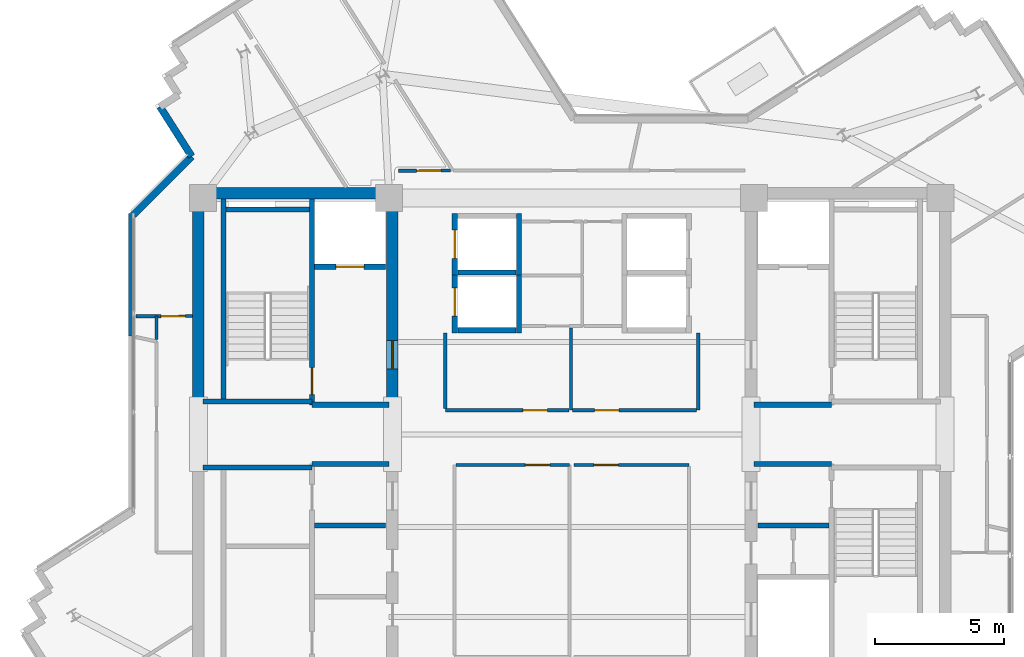
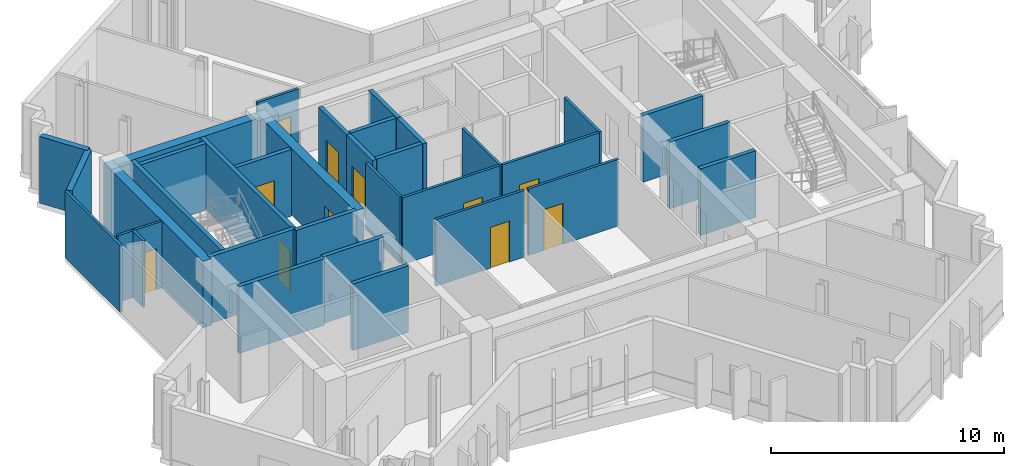
# One storey, part 6 of 12: 34 walls, 11 doors, 11 openings.
"""IFC4 building model written with IfcOpenShell, lengths in metres."""

from ifc_helpers import new_model, si_unit, direction, frame, frame_2d, origin, place, context, subcontext, project, spatial, rectangle, extrude, source, transform, mapped, material, layer, layer_set, type_object, element, fill, save


model = new_model("IFC4")

# Units and contexts
model_context = context("Model", 3, precision=1e-05, world=origin(), true_north=direction((0.0, 1.0)))
body_context = subcontext(model_context, "Body", "Model", "MODEL_VIEW")
ifc_project = project(units=[si_unit("LENGTHUNIT", "METRE"), si_unit("AREAUNIT", "SQUARE_METRE"), si_unit("VOLUMEUNIT", "CUBIC_METRE"), si_unit("PLANEANGLEUNIT", "RADIAN"), si_unit("MASSUNIT", "GRAM", prefix="KILO")], contexts=[model_context])

# Site, building, storey
site_placement = place(None, origin())
site = spatial("IfcSite", under=ifc_project, at=site_placement, CompositionType="ELEMENT")
building_placement = place(site_placement, origin())
building = spatial("IfcBuilding", under=site, at=building_placement, Name="Zahravan Cultural Tower", CompositionType="ELEMENT")
storey_placement = place(building_placement, frame((0.0, 0.0, 269.10009765625)))
storey = spatial("IfcBuildingStorey", under=building, at=storey_placement, Name="L64", CompositionType="ELEMENT", Elevation=269.10009765625)

# Wall, opening, door
ifc_material_1 = material(Name="Concrete C50/60", Category="concrete")
ifc_layer_1 = layer(ifc_material_1, 0.449951171875)
ifc_layer_set_1 = layer_set([ifc_layer_1], Name="Concrete C50/60")
wall_type_1 = type_object("IfcWallType", Name="CW-SHEAR-450-C50", PredefinedType="SHEAR", material=ifc_layer_set_1)
wall_1_placement = place(storey_placement, frame((29.02490234375, 28.050048828125, 0.0), z_axis=(0.0, 0.0, 1.0), x_axis=(0.0, 1.0, 0.0)))
wall_1 = element("IfcWall", 1, at=wall_1_placement, inside=storey, type_object=wall_type_1, Name="L64 Core Shear Wall CW-W-EN-L64", PredefinedType="SHEAR", context=body_context, shape_type="SweptSolid", body=[
    extrude(rectangle(XDim=8.550048828125, YDim=0.449951171875, at=frame_2d((4.27490234375, 0.0))), origin(), (0.0, 0.0, 1.0), 3.5),
])
opening_1_placement = place(wall_1_placement, frame((1.5, 0.0, 0.0)))
opening_1 = element("IfcOpeningElement", 2, at=opening_1_placement, cuts=wall_1, Name="Opening D-L64-06", PredefinedType="OPENING", context=body_context, shape_type="SweptSolid", body=[
    extrude(rectangle(XDim=1.10009765625, YDim=2.199951171875, at=frame_2d((0.550048828125, 1.10009765625))), frame((0.0, 0.23486328125, 0.0), z_axis=(0.0, -1.0, 0.0), x_axis=(1.0, 0.0, 0.0)), (0.0, 0.0, 1.0), 0.469970703125),
])
ifc_material_2 = material(Name="Steel ASTM A572 Grade 50", Category="steel")
door_type_1 = type_object("IfcDoorType", Name="DR-LOBBY-1100", OperationType="NOTDEFINED", PredefinedType="DOOR", material=ifc_material_2)
shared_shape_1 = source(origin(), body_context, "Body", "SweptSolid", [
    extrude(rectangle(XDim=1.10009765625, YDim=2.199951171875, at=frame_2d((0.550048828125, 1.10009765625))), frame((0.0, 0.02490234375, 0.0), z_axis=(0.0, -1.0, 0.0), x_axis=(1.0, 0.0, 0.0)), (0.0, 0.0, 1.0), 0.050048828125),
])
door_1_placement = place(opening_1_placement, origin())
door_1 = element("IfcDoor", 3, at=door_1_placement, inside=storey, type_object=door_type_1, Name="L64 Door D-L64-06", OperationType="SINGLE_SWING_RIGHT", OverallHeight=2.199951171875, OverallWidth=1.10009765625, PredefinedType="DOOR", context=body_context, shape_type="MappedRepresentation", body=[
    mapped(shared_shape_1, transform((0.0, 0.0, 0.0), x_axis=(1.0, 0.0, 0.0), y_axis=(0.0, 1.0, 0.0), z_axis=(0.0, 0.0, 1.0), scale=1.0)),
])
fill(opening_1, door_1)

ifc_material_3 = material(Name="Gypsum plasterboard partition")
ifc_layer_2 = layer(ifc_material_3, 0.125)
ifc_layer_set_2 = layer_set([ifc_layer_2], Name="Gypsum plasterboard partition")
wall_type_2 = type_object("IfcWallType", Name="W-PART-125", PredefinedType="PARTITIONING", material=ifc_layer_set_2)
wall_2_placement = place(storey_placement, frame((35.902587890625, 27.93994140625, 0.0), z_axis=(0.0, 0.0, 1.0), x_axis=(-1.0, 0.0, 0.0)))
wall_2 = element("IfcWall", 4, at=wall_2_placement, inside=storey, type_object=wall_type_2, Name="L64 Interior Wall 051", PredefinedType="PARTITIONING", context=body_context, shape_type="SweptSolid", body=[
    extrude(rectangle(XDim=4.822509765625, YDim=0.125, at=frame_2d((2.4111328125, 0.0))), origin(), (0.0, 0.0, 1.0), 3.5),
])
opening_2_placement = place(wall_2_placement, frame((0.85205078125, 0.0, 0.0)))
opening_2 = element("IfcOpeningElement", 5, at=opening_2_placement, cuts=wall_2, Name="Opening D-L64-18", PredefinedType="OPENING", context=body_context, shape_type="SweptSolid", body=[
    extrude(rectangle(XDim=0.949951171875, YDim=2.14990234375, at=frame_2d((0.47509765625, 1.074951171875))), frame((0.0, 0.072509765625, 0.0), z_axis=(0.0, -1.0, 0.0), x_axis=(1.0, 0.0, 0.0)), (0.0, 0.0, 1.0), 0.14501953125),
])
ifc_material_4 = material(Name="Anodised bronze-aluminium mullion", Category="aluminium")
door_type_2 = type_object("IfcDoorType", Name="DR-ROOM-950", OperationType="NOTDEFINED", PredefinedType="DOOR", material=ifc_material_4)
shared_shape_2 = source(origin(), body_context, "Body", "SweptSolid", [
    extrude(rectangle(XDim=0.949951171875, YDim=2.14990234375, at=frame_2d((0.47509765625, 1.074951171875))), frame((0.0, 0.02490234375, 0.0), z_axis=(0.0, -1.0, 0.0), x_axis=(1.0, 0.0, 0.0)), (0.0, 0.0, 1.0), 0.050048828125),
])
door_2_placement = place(opening_2_placement, origin())
door_2 = element("IfcDoor", 6, at=door_2_placement, inside=storey, type_object=door_type_2, Name="L64 Door D-L64-18", OperationType="SINGLE_SWING_RIGHT", OverallHeight=2.14990234375, OverallWidth=0.949951171875, PredefinedType="DOOR", context=body_context, shape_type="MappedRepresentation", body=[
    mapped(shared_shape_2, transform((0.0, 0.0, 0.0), x_axis=(1.0, 0.0, 0.0), y_axis=(0.0, 1.0, 0.0), z_axis=(0.0, 0.0, 1.0), scale=1.0)),
])
fill(opening_2, door_2)

wall_3_placement = place(storey_placement, frame((40.8525390625, 27.93994140625, 0.0), z_axis=(0.0, 0.0, 1.0), x_axis=(-1.0, 0.0, 0.0)))
wall_3 = element("IfcWall", 7, at=wall_3_placement, inside=storey, type_object=wall_type_2, Name="L64 Interior Wall 054", PredefinedType="PARTITIONING", context=body_context, shape_type="SweptSolid", body=[
    extrude(rectangle(XDim=4.81494140625, YDim=0.125, at=frame_2d((2.407470703125, 0.0))), origin(), (0.0, 0.0, 1.0), 3.5),
])
opening_3_placement = place(wall_3_placement, frame((3.0146484375, 0.0, 0.0)))
opening_3 = element("IfcOpeningElement", 8, at=opening_3_placement, cuts=wall_3, Name="Opening D-L64-19", PredefinedType="OPENING", context=body_context, shape_type="SweptSolid", body=[
    extrude(rectangle(XDim=0.949951171875, YDim=2.14990234375, at=frame_2d((0.47509765625, 1.074951171875))), frame((0.0, 0.072509765625, 0.0), z_axis=(0.0, -1.0, 0.0), x_axis=(1.0, 0.0, 0.0)), (0.0, 0.0, 1.0), 0.14501953125),
])
door_3_placement = place(opening_3_placement, origin())
door_3 = element("IfcDoor", 9, at=door_3_placement, inside=storey, type_object=door_type_2, Name="L64 Door D-L64-19", OperationType="SINGLE_SWING_LEFT", OverallHeight=2.14990234375, OverallWidth=0.949951171875, PredefinedType="DOOR", context=body_context, shape_type="MappedRepresentation", body=[
    mapped(shared_shape_2, transform((0.0, 0.0, 0.0), x_axis=(1.0, 0.0, 0.0), y_axis=(0.0, 1.0, 0.0), z_axis=(0.0, 0.0, 1.0), scale=1.0)),
])
fill(opening_3, door_3)

wall_4_placement = place(storey_placement, frame((31.507568359375, 25.81005859375, 0.0), z_axis=(0.0, 0.0, 1.0), x_axis=(1.0, 0.0, 0.0)))
wall_4 = element("IfcWall", 10, at=wall_4_placement, inside=storey, type_object=wall_type_2, Name="L64 Interior Wall 071", PredefinedType="PARTITIONING", context=body_context, shape_type="SweptSolid", body=[
    extrude(rectangle(XDim=4.40234375, YDim=0.125, at=frame_2d((2.201171875, 0.0))), origin(), (0.0, 0.0, 1.0), 3.5),
])
opening_4_placement = place(wall_4_placement, frame((2.69287109375, 0.0, 0.0)))
opening_4 = element("IfcOpeningElement", 11, at=opening_4_placement, cuts=wall_4, Name="Opening D-L64-14", PredefinedType="OPENING", context=body_context, shape_type="SweptSolid", body=[
    extrude(rectangle(XDim=0.949951171875, YDim=2.14990234375, at=frame_2d((0.47509765625, 1.074951171875))), frame((0.0, 0.072509765625, 0.0), z_axis=(0.0, -1.0, 0.0), x_axis=(1.0, 0.0, 0.0)), (0.0, 0.0, 1.0), 0.14501953125),
])
door_4_placement = place(opening_4_placement, origin())
door_4 = element("IfcDoor", 12, at=door_4_placement, inside=storey, type_object=door_type_2, Name="L64 Door D-L64-14", OperationType="SINGLE_SWING_RIGHT", OverallHeight=2.14990234375, OverallWidth=0.949951171875, PredefinedType="DOOR", context=body_context, shape_type="MappedRepresentation", body=[
    mapped(shared_shape_2, transform((0.0, 0.0, 0.0), x_axis=(1.0, 0.0, 0.0), y_axis=(0.0, 1.0, 0.0), z_axis=(0.0, 0.0, 1.0), scale=1.0)),
])
fill(opening_4, door_4)

wall_5_placement = place(storey_placement, frame((36.090087890625, 25.81005859375, 0.0), z_axis=(0.0, 0.0, 1.0), x_axis=(1.0, 0.0, 0.0)))
wall_5 = element("IfcWall", 13, at=wall_5_placement, inside=storey, type_object=wall_type_2, Name="L64 Interior Wall 074", PredefinedType="PARTITIONING", context=body_context, shape_type="SweptSolid", body=[
    extrude(rectangle(XDim=4.469970703125, YDim=0.125, at=frame_2d((2.23486328125, 0.0))), origin(), (0.0, 0.0, 1.0), 3.5),
])
opening_5_placement = place(wall_5_placement, frame((0.7744140625, 0.0, 0.0)))
opening_5 = element("IfcOpeningElement", 14, at=opening_5_placement, cuts=wall_5, Name="Opening D-L64-15", PredefinedType="OPENING", context=body_context, shape_type="SweptSolid", body=[
    extrude(rectangle(XDim=0.949951171875, YDim=2.14990234375, at=frame_2d((0.47509765625, 1.074951171875))), frame((0.0, 0.072509765625, 0.0), z_axis=(0.0, -1.0, 0.0), x_axis=(1.0, 0.0, 0.0)), (0.0, 0.0, 1.0), 0.14501953125),
])
door_5_placement = place(opening_5_placement, origin())
door_5 = element("IfcDoor", 15, at=door_5_placement, inside=storey, type_object=door_type_2, Name="L64 Door D-L64-15", OperationType="SINGLE_SWING_LEFT", OverallHeight=2.14990234375, OverallWidth=0.949951171875, PredefinedType="DOOR", context=body_context, shape_type="MappedRepresentation", body=[
    mapped(shared_shape_2, transform((0.0, 0.0, 0.0), x_axis=(1.0, 0.0, 0.0), y_axis=(0.0, 1.0, 0.0), z_axis=(0.0, 0.0, 1.0), scale=1.0)),
])
fill(opening_5, door_5)

wall_6_placement = place(storey_placement, frame((31.29248046875, 37.260009765625, 0.0), z_axis=(0.0, 0.0, 1.0), x_axis=(-0.999999820546, -0.000599089277, 0.0)))
wall_6 = element("IfcWall", 16, at=wall_6_placement, inside=storey, type_object=wall_type_2, Name="L64 Interior Wall 077", PredefinedType="PARTITIONING", context=body_context, shape_type="SweptSolid", body=[
    extrude(rectangle(XDim=2.03759765625, YDim=0.125, at=frame_2d((1.018798828125, 0.0))), origin(), (0.0, 0.0, 1.0), 3.5),
])
opening_6_placement = place(wall_6_placement, frame((0.380615234375, 0.0, 0.0)))
opening_6 = element("IfcOpeningElement", 17, at=opening_6_placement, cuts=wall_6, Name="Opening D-L64-23", PredefinedType="OPENING", context=body_context, shape_type="SweptSolid", body=[
    extrude(rectangle(XDim=0.949951171875, YDim=2.14990234375, at=frame_2d((0.47509765625, 1.074951171875))), frame((0.0, 0.072509765625, 0.0), z_axis=(0.0, -1.0, 0.0), x_axis=(1.0, 0.0, 0.0)), (0.0, 0.0, 1.0), 0.14501953125),
])
door_6_placement = place(opening_6_placement, origin())
door_6 = element("IfcDoor", 18, at=door_6_placement, inside=storey, type_object=door_type_2, Name="L64 Door D-L64-23", OperationType="SINGLE_SWING_LEFT", OverallHeight=2.14990234375, OverallWidth=0.949951171875, PredefinedType="DOOR", context=body_context, shape_type="MappedRepresentation", body=[
    mapped(shared_shape_2, transform((0.0, 0.0, 0.0), x_axis=(1.0, 0.0, 0.0), y_axis=(0.0, 1.0, 0.0), z_axis=(0.0, 0.0, 1.0), scale=1.0)),
])
fill(opening_6, door_6)

wall_7_placement = place(storey_placement, frame((21.2451171875, 31.599853515625, 0.0), z_axis=(0.0, 0.0, 1.0), x_axis=(-0.999998798684, -0.001550042425, 0.0)))
wall_7 = element("IfcWall", 19, at=wall_7_placement, inside=storey, type_object=wall_type_2, Name="L64 Interior Wall 089", PredefinedType="PARTITIONING", context=body_context, shape_type="SweptSolid", body=[
    extrude(rectangle(XDim=2.205078125, YDim=0.125, at=frame_2d((1.1025390625, 0.0))), origin(), (0.0, 0.0, 1.0), 3.5),
])
opening_7_placement = place(wall_7_placement, frame((0.276123046875, 0.0, 0.0)))
opening_7 = element("IfcOpeningElement", 20, at=opening_7_placement, cuts=wall_7, Name="Opening D-L64-24", PredefinedType="OPENING", context=body_context, shape_type="SweptSolid", body=[
    extrude(rectangle(XDim=0.949951171875, YDim=2.14990234375, at=frame_2d((0.47509765625, 1.074951171875))), frame((0.0, 0.072509765625, 0.0), z_axis=(0.0, -1.0, 0.0), x_axis=(1.0, 0.0, 0.0)), (0.0, 0.0, 1.0), 0.14501953125),
])
door_7_placement = place(opening_7_placement, origin())
door_7 = element("IfcDoor", 21, at=door_7_placement, inside=storey, type_object=door_type_2, Name="L64 Door D-L64-24", OperationType="SINGLE_SWING_RIGHT", OverallHeight=2.14990234375, OverallWidth=0.949951171875, PredefinedType="DOOR", context=body_context, shape_type="MappedRepresentation", body=[
    mapped(shared_shape_2, transform((0.0, 0.0, 0.0), x_axis=(1.0, 0.0, 0.0), y_axis=(0.0, 1.0, 0.0), z_axis=(0.0, 0.0, 1.0), scale=1.0)),
])
fill(opening_7, door_7)

ifc_material_5 = material(Name="Concrete C45/55", Category="concrete")
ifc_layer_3 = layer(ifc_material_5, 0.199951171875)
ifc_layer_set_3 = layer_set([ifc_layer_3], Name="Concrete C45/55")
wall_type_3 = type_object("IfcWallType", Name="W-SHAFT-200", PredefinedType="SOLIDWALL", material=ifc_layer_set_3)
wall_8_placement = place(storey_placement, frame((25.89990234375, 28.14990234375, 0.0), z_axis=(0.0, 0.0, 1.0), x_axis=(0.0, 1.0, 0.0)))
wall_8 = element("IfcWall", 22, at=wall_8_placement, inside=storey, type_object=wall_type_3, Name="L64 Interior Wall 006", PredefinedType="SOLIDWALL", context=body_context, shape_type="SweptSolid", body=[
    extrude(rectangle(XDim=8.0, YDim=0.199951171875, at=frame_2d((4.0, 0.0))), origin(), (0.0, 0.0, 1.0), 3.5),
])
opening_8_placement = place(wall_8_placement, frame((0.39990234375, 0.0, 0.0)))
opening_8 = element("IfcOpeningElement", 23, at=opening_8_placement, cuts=wall_8, Name="Opening D-L64-01", PredefinedType="OPENING", context=body_context, shape_type="SweptSolid", body=[
    extrude(rectangle(XDim=1.050048828125, YDim=2.14990234375, at=frame_2d((0.52490234375, 1.074951171875))), frame((0.0, 0.10986328125, 0.0), z_axis=(0.0, -1.0, 0.0), x_axis=(1.0, 0.0, 0.0)), (0.0, 0.0, 1.0), 0.219970703125),
])
door_type_3 = type_object("IfcDoorType", Name="DR-STAIR-1050", OperationType="NOTDEFINED", PredefinedType="DOOR", material=ifc_material_2)
shared_shape_3 = source(origin(), body_context, "Body", "SweptSolid", [
    extrude(rectangle(XDim=1.050048828125, YDim=2.14990234375, at=frame_2d((0.52490234375, 1.074951171875))), frame((0.0, 0.02490234375, 0.0), z_axis=(0.0, -1.0, 0.0), x_axis=(1.0, 0.0, 0.0)), (0.0, 0.0, 1.0), 0.050048828125),
])
door_8_placement = place(opening_8_placement, origin())
door_8 = element("IfcDoor", 24, at=door_8_placement, inside=storey, type_object=door_type_3, Name="L64 Door D-L64-01", OperationType="SINGLE_SWING_LEFT", OverallHeight=2.14990234375, OverallWidth=1.050048828125, PredefinedType="DOOR", context=body_context, shape_type="MappedRepresentation", body=[
    mapped(shared_shape_3, transform((0.0, 0.0, 0.0), x_axis=(1.0, 0.0, 0.0), y_axis=(0.0, 1.0, 0.0), z_axis=(0.0, 0.0, 1.0), scale=1.0)),
])
fill(opening_8, door_8)

wall_9_placement = place(storey_placement, frame((26.0, 33.52001953125, 0.0), z_axis=(0.0, 0.0, 1.0), x_axis=(1.0, 0.0, 0.0)))
wall_9 = element("IfcWall", 25, at=wall_9_placement, inside=storey, type_object=wall_type_3, Name="L64 Interior Wall 022", PredefinedType="SOLIDWALL", context=body_context, shape_type="SweptSolid", body=[
    extrude(rectangle(XDim=2.75, YDim=0.199951171875, at=frame_2d((1.375, 0.0))), origin(), (0.0, 0.0, 1.0), 3.5),
])
opening_9_placement = place(wall_9_placement, frame((0.820068359375, 0.0, 0.0)))
opening_9 = element("IfcOpeningElement", 26, at=opening_9_placement, cuts=wall_9, Name="Opening LD-L64-01", PredefinedType="OPENING", context=body_context, shape_type="SweptSolid", body=[
    extrude(rectangle(XDim=1.10009765625, YDim=2.14990234375, at=frame_2d((0.550048828125, 1.074951171875))), frame((0.0, 0.10986328125, 0.0), z_axis=(0.0, -1.0, 0.0), x_axis=(1.0, 0.0, 0.0)), (0.0, 0.0, 1.0), 0.219970703125),
])
door_type_4 = type_object("IfcDoorType", Name="DR-LIFT-1100", OperationType="DOUBLE_DOOR_SLIDING", PredefinedType="DOOR", material=ifc_material_2)
shared_shape_4 = source(origin(), body_context, "Body", "SweptSolid", [
    extrude(rectangle(XDim=1.10009765625, YDim=2.14990234375, at=frame_2d((0.550048828125, 1.074951171875))), frame((0.0, 0.02490234375, 0.0), z_axis=(0.0, -1.0, 0.0), x_axis=(1.0, 0.0, 0.0)), (0.0, 0.0, 1.0), 0.050048828125),
])
door_9_placement = place(opening_9_placement, origin())
door_9 = element("IfcDoor", 27, at=door_9_placement, inside=storey, type_object=door_type_4, Name="L64 Door LD-L64-01", OperationType="DOUBLE_DOOR_SLIDING", OverallHeight=2.14990234375, OverallWidth=1.10009765625, PredefinedType="DOOR", context=body_context, shape_type="MappedRepresentation", body=[
    mapped(shared_shape_4, transform((0.0, 0.0, 0.0), x_axis=(1.0, 0.0, 0.0), y_axis=(0.0, 1.0, 0.0), z_axis=(0.0, 0.0, 1.0), scale=1.0)),
])
fill(opening_9, door_9)

wall_10_placement = place(storey_placement, frame((31.449951171875, 33.199951171875, 0.0), z_axis=(0.0, 0.0, 1.0), x_axis=(0.0, 1.0, 0.0)))
wall_10 = element("IfcWall", 28, at=wall_10_placement, inside=storey, type_object=wall_type_3, Name="L64 Interior Wall 029", PredefinedType="SOLIDWALL", context=body_context, shape_type="SweptSolid", body=[
    extrude(rectangle(XDim=2.400146484375, YDim=0.199951171875, at=frame_2d((1.2001953125, 0.0))), origin(), (0.0, 0.0, 1.0), 3.5),
])
opening_10_placement = place(wall_10_placement, frame((0.64990234375, 0.0, 0.0)))
opening_10 = element("IfcOpeningElement", 29, at=opening_10_placement, cuts=wall_10, Name="Opening LD-L64-04", PredefinedType="OPENING", context=body_context, shape_type="SweptSolid", body=[
    extrude(rectangle(XDim=1.10009765625, YDim=2.14990234375, at=frame_2d((0.550048828125, 1.074951171875))), frame((0.0, 0.10986328125, 0.0), z_axis=(0.0, -1.0, 0.0), x_axis=(1.0, 0.0, 0.0)), (0.0, 0.0, 1.0), 0.219970703125),
])
door_10_placement = place(opening_10_placement, origin())
door_10 = element("IfcDoor", 30, at=door_10_placement, inside=storey, type_object=door_type_4, Name="L64 Door LD-L64-04", OperationType="DOUBLE_DOOR_SLIDING", OverallHeight=2.14990234375, OverallWidth=1.10009765625, PredefinedType="DOOR", context=body_context, shape_type="MappedRepresentation", body=[
    mapped(shared_shape_4, transform((0.0, 0.0, 0.0), x_axis=(1.0, 0.0, 0.0), y_axis=(0.0, 1.0, 0.0), z_axis=(0.0, 0.0, 1.0), scale=1.0)),
])
fill(opening_10, door_10)

wall_11_placement = place(storey_placement, frame((31.449951171875, 30.949951171875, 0.0), z_axis=(0.0, 0.0, 1.0), x_axis=(0.0, 1.0, 0.0)))
wall_11 = element("IfcWall", 31, at=wall_11_placement, inside=storey, type_object=wall_type_3, Name="L64 Interior Wall 033", PredefinedType="SOLIDWALL", context=body_context, shape_type="SweptSolid", body=[
    extrude(rectangle(XDim=2.400146484375, YDim=0.199951171875, at=frame_2d((1.2001953125, 0.0))), origin(), (0.0, 0.0, 1.0), 3.5),
])
opening_11_placement = place(wall_11_placement, frame((0.64990234375, 0.0, 0.0)))
opening_11 = element("IfcOpeningElement", 32, at=opening_11_placement, cuts=wall_11, Name="Opening LD-L64-05", PredefinedType="OPENING", context=body_context, shape_type="SweptSolid", body=[
    extrude(rectangle(XDim=1.10009765625, YDim=2.14990234375, at=frame_2d((0.550048828125, 1.074951171875))), frame((0.0, 0.10986328125, 0.0), z_axis=(0.0, -1.0, 0.0), x_axis=(1.0, 0.0, 0.0)), (0.0, 0.0, 1.0), 0.219970703125),
])
door_11_placement = place(opening_11_placement, origin())
door_11 = element("IfcDoor", 33, at=door_11_placement, inside=storey, type_object=door_type_4, Name="L64 Door LD-L64-05", OperationType="DOUBLE_DOOR_SLIDING", OverallHeight=2.14990234375, OverallWidth=1.10009765625, PredefinedType="DOOR", context=body_context, shape_type="MappedRepresentation", body=[
    mapped(shared_shape_4, transform((0.0, 0.0, 0.0), x_axis=(1.0, 0.0, 0.0), y_axis=(0.0, 1.0, 0.0), z_axis=(0.0, 0.0, 1.0), scale=1.0)),
])
fill(opening_11, door_11)

# Walls
shared_shape_5 = source(origin(), body_context, "Body", "SweptSolid", [
    extrude(rectangle(XDim=8.550048828125, YDim=0.449951171875, at=frame_2d((4.27490234375, 0.0))), origin(), (0.0, 0.0, 1.0), 3.5),
])
wall_12_placement = place(storey_placement, frame((21.47509765625, 28.050048828125, 0.0), z_axis=(0.0, 0.0, 1.0), x_axis=(0.0, 1.0, 0.0)))
element("IfcWall", 34, at=wall_12_placement, inside=storey, type_object=wall_type_1, Name="L64 Core Shear Wall CW-W-WN-L64", PredefinedType="SHEAR", context=body_context, shape_type="MappedRepresentation", body=[
    mapped(shared_shape_5, transform((0.0, 0.0, 0.0), x_axis=(1.0, 0.0, 0.0), y_axis=(0.0, 1.0, 0.0), z_axis=(0.0, 0.0, 1.0), scale=1.0)),
])
shared_shape_6 = source(origin(), body_context, "Body", "SweptSolid", [
    extrude(rectangle(XDim=7.10009765625, YDim=0.449951171875, at=frame_2d((3.550048828125, 0.0))), origin(), (0.0, 0.0, 1.0), 3.5),
])
wall_13_placement = place(storey_placement, frame((21.699951171875, 36.375, 0.0), z_axis=(0.0, 0.0, 1.0), x_axis=(1.0, 0.0, 0.0)))
element("IfcWall", 35, at=wall_13_placement, inside=storey, type_object=wall_type_1, Name="L64 Core Shear Wall CW-W-N-L64", PredefinedType="SHEAR", context=body_context, shape_type="MappedRepresentation", body=[
    mapped(shared_shape_6, transform((0.0, 0.0, 0.0), x_axis=(1.0, 0.0, 0.0), y_axis=(0.0, 1.0, 0.0), z_axis=(0.0, 0.0, 1.0), scale=1.0)),
])
ifc_material_6 = material(Name="Precast concrete C40/50", Category="concrete")
ifc_layer_4 = layer(ifc_material_6, 0.280029296875)
ifc_layer_set_4 = layer_set([ifc_layer_4], Name="Precast concrete C40/50")
wall_type_4 = type_object("IfcWallType", Name="EW-TC-280", PredefinedType="SOLIDWALL", material=ifc_layer_set_4)
shared_shape_7 = source(origin(), body_context, "Body", "SweptSolid", [
    extrude(rectangle(XDim=3.21484375, YDim=0.280029296875, at=frame_2d((1.607421875, 0.0))), origin(), (0.0, 0.0, 1.0), 3.5),
])
wall_14_placement = place(storey_placement, frame((18.93994140625, 35.5419921875, 0.0), z_axis=(0.0, 0.0, 1.0), x_axis=(0.707106781187, 0.707106781187, 0.0)))
element("IfcWall", 36, at=wall_14_placement, inside=storey, type_object=wall_type_4, Name="L64 Exterior Masonry Frame Wall 36", PredefinedType="SOLIDWALL", context=body_context, shape_type="MappedRepresentation", body=[
    mapped(shared_shape_7, transform((0.0, 0.0, 0.0), x_axis=(1.0, 0.0, 0.0), y_axis=(0.0, 1.0, 0.0), z_axis=(0.0, 0.0, 1.0), scale=1.0)),
])
shared_shape_8 = source(origin(), body_context, "Body", "SweptSolid", [
    extrude(rectangle(XDim=2.29345703125, YDim=0.280029296875, at=frame_2d((1.146728515625, 0.0))), origin(), (0.0, 0.0, 1.0), 3.5),
])
wall_15_placement = place(storey_placement, frame((21.213134765625, 37.815185546875, 0.0), z_axis=(0.0, 0.0, 1.0), x_axis=(-0.53726116654, 0.843415934713, 0.0)))
element("IfcWall", 37, at=wall_15_placement, inside=storey, type_object=wall_type_4, Name="L64 Exterior Masonry Frame Wall 37", PredefinedType="SOLIDWALL", context=body_context, shape_type="MappedRepresentation", body=[
    mapped(shared_shape_8, transform((0.0, 0.0, 0.0), x_axis=(1.0, 0.0, 0.0), y_axis=(0.0, 1.0, 0.0), z_axis=(0.0, 0.0, 1.0), scale=1.0)),
])
shared_shape_9 = source(origin(), body_context, "Body", "SweptSolid", [
    extrude(rectangle(XDim=7.869873046875, YDim=0.199951171875, at=frame_2d((3.93505859375, 0.0))), origin(), (0.0, 0.0, 1.0), 3.5),
])
wall_16_placement = place(storey_placement, frame((22.449951171875, 28.280029296875, 0.0), z_axis=(0.0, 0.0, 1.0), x_axis=(0.0, 1.0, 0.0)))
element("IfcWall", 38, at=wall_16_placement, inside=storey, type_object=wall_type_3, Name="L64 Interior Wall 002", PredefinedType="SOLIDWALL", context=body_context, shape_type="MappedRepresentation", body=[
    mapped(shared_shape_9, transform((0.0, 0.0, 0.0), x_axis=(1.0, 0.0, 0.0), y_axis=(0.0, 1.0, 0.0), z_axis=(0.0, 0.0, 1.0), scale=1.0)),
])
shared_shape_10 = source(origin(), body_context, "Body", "SweptSolid", [
    extrude(rectangle(XDim=4.25, YDim=0.199951171875, at=frame_2d((2.125, 0.0))), origin(), (0.0, 0.0, 1.0), 3.5),
])
for number, where, z_axis, x_axis, name in (
    (39, (21.64990234375, 25.715087890625, 0.0), (0.0, 0.0, 1.0), (1.0, 0.0, 0.0), "L64 Interior Wall 009"),
    (40, (21.64990234375, 28.284912109375, 0.0), (0.0, 0.0, 1.0), (1.0, 0.0, 0.0), "L64 Interior Wall 011"),
):
    element("IfcWall", number, at=place(storey_placement, frame(where, z_axis=z_axis, x_axis=x_axis)), inside=storey, type_object=wall_type_3, Name=name, PredefinedType="SOLIDWALL", context=body_context, shape_type="MappedRepresentation", body=[
        mapped(shared_shape_10, transform((0.0, 0.0, 0.0), x_axis=(1.0, 0.0, 0.0), y_axis=(0.0, 1.0, 0.0), z_axis=(0.0, 0.0, 1.0), scale=1.0)),
    ])
shared_shape_11 = source(origin(), body_context, "Body", "SweptSolid", [
    extrude(rectangle(XDim=3.0, YDim=0.199951171875, at=frame_2d((1.5, 0.0))), origin(), (0.0, 0.0, 1.0), 3.5),
])
for number, where, z_axis, x_axis, name in (
    (41, (25.89990234375, 25.85009765625, 0.0), (0.0, 0.0, 1.0), (1.0, 0.0, 0.0), "L64 Interior Wall 010"),
    (42, (25.89990234375, 28.14990234375, 0.0), (0.0, 0.0, 1.0), (1.0, 0.0, 0.0), "L64 Interior Wall 012"),
    (43, (43.10009765625, 25.85009765625, 0.0), (0.0, 0.0, 1.0), (1.0, 0.0, 0.0), "L64 Interior Wall 013"),
    (44, (43.10009765625, 28.14990234375, 0.0), (0.0, 0.0, 1.0), (1.0, 0.0, 0.0), "L64 Interior Wall 015"),
):
    element("IfcWall", number, at=place(storey_placement, frame(where, z_axis=z_axis, x_axis=x_axis)), inside=storey, type_object=wall_type_3, Name=name, PredefinedType="SOLIDWALL", context=body_context, shape_type="MappedRepresentation", body=[
        mapped(shared_shape_11, transform((0.0, 0.0, 0.0), x_axis=(1.0, 0.0, 0.0), y_axis=(0.0, 1.0, 0.0), z_axis=(0.0, 0.0, 1.0), scale=1.0)),
    ])
shared_shape_12 = source(origin(), body_context, "Body", "SweptSolid", [
    extrude(rectangle(XDim=3.25, YDim=0.199951171875, at=frame_2d((1.625, 0.0))), origin(), (0.0, 0.0, 1.0), 3.5),
])
wall_17_placement = place(storey_placement, frame((22.550048828125, 35.75, 0.0), z_axis=(0.0, 0.0, 1.0), x_axis=(1.0, 0.0, 0.0)))
element("IfcWall", 45, at=wall_17_placement, inside=storey, type_object=wall_type_3, Name="L64 Interior Wall 017", PredefinedType="SOLIDWALL", context=body_context, shape_type="MappedRepresentation", body=[
    mapped(shared_shape_12, transform((0.0, 0.0, 0.0), x_axis=(1.0, 0.0, 0.0), y_axis=(0.0, 1.0, 0.0), z_axis=(0.0, 0.0, 1.0), scale=1.0)),
])
shared_shape_13 = source(origin(), body_context, "Body", "SweptSolid", [
    extrude(rectangle(XDim=2.75, YDim=0.199951171875, at=frame_2d((1.375, 0.0))), origin(), (0.0, 0.0, 1.0), 3.5),
])
for number, where, z_axis, x_axis, name in (
    (46, (26.0, 23.449951171875, 0.0), (0.0, 0.0, 1.0), (1.0, 0.0, 0.0), "L64 Interior Wall 024"),
    (47, (43.25, 23.449951171875, 0.0), (0.0, 0.0, 1.0), (1.0, 0.0, 0.0), "L64 Interior Wall 025"),
):
    element("IfcWall", number, at=place(storey_placement, frame(where, z_axis=z_axis, x_axis=x_axis)), inside=storey, type_object=wall_type_3, Name=name, PredefinedType="SOLIDWALL", context=body_context, shape_type="MappedRepresentation", body=[
        mapped(shared_shape_13, transform((0.0, 0.0, 0.0), x_axis=(1.0, 0.0, 0.0), y_axis=(0.0, 1.0, 0.0), z_axis=(0.0, 0.0, 1.0), scale=1.0)),
    ])
shared_shape_14 = source(origin(), body_context, "Body", "SweptSolid", [
    extrude(rectangle(XDim=2.400146484375, YDim=0.199951171875, at=frame_2d((1.2001953125, 0.0))), origin(), (0.0, 0.0, 1.0), 3.5),
])
for number, where, z_axis, x_axis, name in (
    (48, (33.949951171875, 33.199951171875, 0.0), (0.0, 0.0, 1.0), (0.0, 1.0, 0.0), "L64 Interior Wall 030"),
    (49, (33.949951171875, 30.949951171875, 0.0), (0.0, 0.0, 1.0), (0.0, 1.0, 0.0), "L64 Interior Wall 034"),
):
    element("IfcWall", number, at=place(storey_placement, frame(where, z_axis=z_axis, x_axis=x_axis)), inside=storey, type_object=wall_type_3, Name=name, PredefinedType="SOLIDWALL", context=body_context, shape_type="MappedRepresentation", body=[
        mapped(shared_shape_14, transform((0.0, 0.0, 0.0), x_axis=(1.0, 0.0, 0.0), y_axis=(0.0, 1.0, 0.0), z_axis=(0.0, 0.0, 1.0), scale=1.0)),
    ])
shared_shape_15 = source(origin(), body_context, "Body", "SweptSolid", [
    extrude(rectangle(XDim=2.260009765625, YDim=0.199951171875, at=frame_2d((1.1298828125, 0.0))), origin(), (0.0, 0.0, 1.0), 3.5),
])
for number, where, z_axis, x_axis, name in (
    (50, (31.570068359375, 33.300048828125, 0.0), (0.0, 0.0, 1.0), (1.0, 0.0, 0.0), "L64 Interior Wall 031"),
    (51, (31.570068359375, 31.050048828125, 0.0), (0.0, 0.0, 1.0), (1.0, 0.0, 0.0), "L64 Interior Wall 035"),
):
    element("IfcWall", number, at=place(storey_placement, frame(where, z_axis=z_axis, x_axis=x_axis)), inside=storey, type_object=wall_type_3, Name=name, PredefinedType="SOLIDWALL", context=body_context, shape_type="MappedRepresentation", body=[
        mapped(shared_shape_15, transform((0.0, 0.0, 0.0), x_axis=(1.0, 0.0, 0.0), y_axis=(0.0, 1.0, 0.0), z_axis=(0.0, 0.0, 1.0), scale=1.0)),
    ])
shared_shape_16 = source(origin(), body_context, "Body", "SweptSolid", [
    extrude(rectangle(XDim=3.199951171875, YDim=0.125, at=frame_2d((1.60009765625, 0.0))), origin(), (0.0, 0.0, 1.0), 3.5),
])
wall_18_placement = place(storey_placement, frame((35.969970703125, 31.139892578125, 0.0), z_axis=(0.0, 0.0, 1.0), x_axis=(0.0, -1.0, 0.0)))
element("IfcWall", 52, at=wall_18_placement, inside=storey, type_object=wall_type_2, Name="L64 Interior Wall 050", PredefinedType="PARTITIONING", context=body_context, shape_type="MappedRepresentation", body=[
    mapped(shared_shape_16, transform((0.0, 0.0, 0.0), x_axis=(1.0, 0.0, 0.0), y_axis=(0.0, 1.0, 0.0), z_axis=(0.0, 0.0, 1.0), scale=1.0)),
])
shared_shape_17 = source(origin(), body_context, "Body", "SweptSolid", [
    extrude(rectangle(XDim=2.9423828125, YDim=0.125, at=frame_2d((1.47119140625, 0.0))), origin(), (0.0, 0.0, 1.0), 3.5),
])
wall_19_placement = place(storey_placement, frame((31.080078125, 28.007568359375, 0.0), z_axis=(0.0, 0.0, 1.0), x_axis=(0.0, 1.0, 0.0)))
element("IfcWall", 53, at=wall_19_placement, inside=storey, type_object=wall_type_2, Name="L64 Interior Wall 052", PredefinedType="PARTITIONING", context=body_context, shape_type="MappedRepresentation", body=[
    mapped(shared_shape_17, transform((0.0, 0.0, 0.0), x_axis=(1.0, 0.0, 0.0), y_axis=(0.0, 1.0, 0.0), z_axis=(0.0, 0.0, 1.0), scale=1.0)),
])
shared_shape_18 = source(origin(), body_context, "Body", "SweptSolid", [
    extrude(rectangle(XDim=3.010009765625, YDim=0.125, at=frame_2d((1.5048828125, 0.0))), origin(), (0.0, 0.0, 1.0), 3.5),
])
wall_20_placement = place(storey_placement, frame((40.919921875, 30.949951171875, 0.0), z_axis=(0.0, 0.0, 1.0), x_axis=(0.0, -1.0, 0.0)))
element("IfcWall", 54, at=wall_20_placement, inside=storey, type_object=wall_type_2, Name="L64 Interior Wall 053", PredefinedType="PARTITIONING", context=body_context, shape_type="MappedRepresentation", body=[
    mapped(shared_shape_18, transform((0.0, 0.0, 0.0), x_axis=(1.0, 0.0, 0.0), y_axis=(0.0, 1.0, 0.0), z_axis=(0.0, 0.0, 1.0), scale=1.0)),
])
shared_shape_19 = source(origin(), body_context, "Body", "SweptSolid", [
    extrude(rectangle(XDim=0.915771484375, YDim=0.125, at=frame_2d((0.4580078125, 0.0))), origin(), (0.0, 0.0, 1.0), 3.5),
])
wall_21_placement = place(storey_placement, frame((19.851318359375, 31.59765625, 0.0), z_axis=(0.0, 0.0, 1.0), x_axis=(-0.001332976688, -0.999999111586, 0.0)))
element("IfcWall", 55, at=wall_21_placement, inside=storey, type_object=wall_type_2, Name="L64 Interior Wall 087", PredefinedType="PARTITIONING", context=body_context, shape_type="MappedRepresentation", body=[
    mapped(shared_shape_19, transform((0.0, 0.0, 0.0), x_axis=(1.0, 0.0, 0.0), y_axis=(0.0, 1.0, 0.0), z_axis=(0.0, 0.0, 1.0), scale=1.0)),
])
shared_shape_20 = source(origin(), body_context, "Body", "SweptSolid", [
    extrude(rectangle(XDim=4.7568359375, YDim=0.125, at=frame_2d((2.37841796875, 0.0))), origin(), (0.0, 0.0, 1.0), 3.5),
])
wall_22_placement = place(storey_placement, frame((18.820068359375, 30.8349609375, 0.0), z_axis=(0.0, 0.0, 1.0), x_axis=(0.0, 1.0, 0.0)))
element("IfcWall", 56, at=wall_22_placement, inside=storey, type_object=wall_type_2, Name="L64 Interior Wall 088", PredefinedType="PARTITIONING", context=body_context, shape_type="MappedRepresentation", body=[
    mapped(shared_shape_20, transform((0.0, 0.0, 0.0), x_axis=(1.0, 0.0, 0.0), y_axis=(0.0, 1.0, 0.0), z_axis=(0.0, 0.0, 1.0), scale=1.0)),
])

save(model, "model.ifc")
